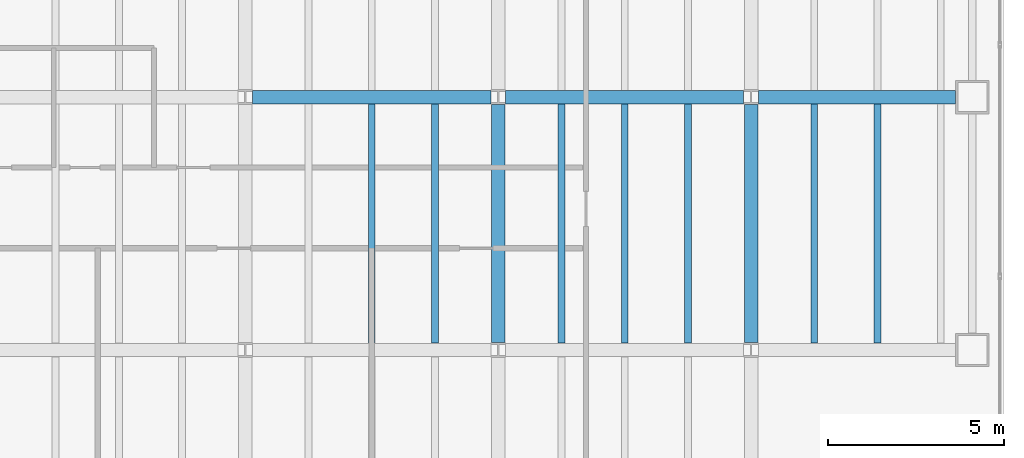
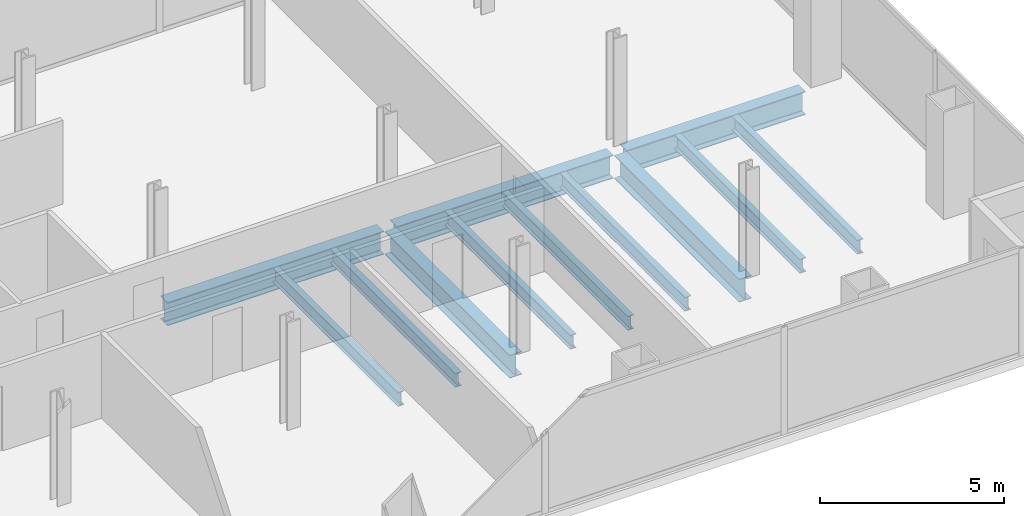
# One storey, part 9 of 23: 12 beams.
"""IFC4 building model written with IfcOpenShell, lengths in metres."""

from ifc_helpers import new_model, si_unit, direction, frame, origin, origin_2d, place, context, subcontext, project, spatial, i_section, extrude, material, material_profile, profile_set, type_object, element, save


model = new_model("IFC4")

# Units and contexts
model_context = context("Model", 3, precision=1e-05, world=origin(), true_north=direction((0.0, 1.0)))
body_context = subcontext(model_context, "Body", "Model", "MODEL_VIEW")
ifc_project = project(units=[si_unit("LENGTHUNIT", "METRE"), si_unit("AREAUNIT", "SQUARE_METRE"), si_unit("VOLUMEUNIT", "CUBIC_METRE"), si_unit("PLANEANGLEUNIT", "RADIAN"), si_unit("MASSUNIT", "GRAM", prefix="KILO")], contexts=[model_context])

# Site, building, storey
site_placement = place(None, origin())
site = spatial("IfcSite", under=ifc_project, at=site_placement, CompositionType="ELEMENT")
building_placement = place(site_placement, origin())
building = spatial("IfcBuilding", under=site, at=building_placement, Name="Cobrela Telecom Tower", CompositionType="ELEMENT")
storey_placement = place(building_placement, frame((0.0, 0.0, 88.89990234375)))
storey = spatial("IfcBuildingStorey", under=building, at=storey_placement, Name="L22", CompositionType="ELEMENT", Elevation=88.89990234375)

# Beams
ifc_material = material(Name="Steel ASTM A992 Grade 50", Category="steel")
ifc_material_profile_1 = material_profile(ifc_material, i_section(OverallWidth=0.381103515625, OverallDepth=0.77197265625, WebThickness=0.0166015625, FlangeThickness=0.027099609375, FilletRadius=0.01904296875, at=origin_2d()), Name="W30X173")
ifc_profile_set_1 = profile_set([ifc_material_profile_1], Name="Steel ASTM A992 Grade 50")
beam_type_1 = type_object("IfcBeamType", Name="BM-GIRD-04", PredefinedType="USERDEFINED", material=ifc_profile_set_1)
for number, where, z_axis, x_axis, name in (
    (1, (29.009521484375, 14.39990234375, -0.666015625), (1.0, 0.0, 0.0), (0.0, 1.0, 0.0), "L22 Primary Girder X15"),
    (2, (36.20947265625, 14.39990234375, -0.666015625), (1.0, 0.0, 0.0), (0.0, 1.0, 0.0), "L22 Primary Girder X16"),
):
    element("IfcBeam", number, at=place(storey_placement, frame(where, z_axis=z_axis, x_axis=x_axis)), inside=storey, type_object=beam_type_1, Name=name, ObjectType="GIRDER", PredefinedType="USERDEFINED", context=body_context, shape_type="SweptSolid", body=[
        extrude(i_section(OverallWidth=0.381103515625, OverallDepth=0.77197265625, WebThickness=0.0166015625, FlangeThickness=0.027099609375, FilletRadius=0.01904296875, at=origin_2d()), origin(), (0.0, 0.0, 1.0), 6.781005859375),
    ])
beam_placement = place(storey_placement, frame((43.409423828125, 14.39990234375, -0.666015625), z_axis=(1.0, 0.0, 0.0), x_axis=(0.0, 1.0, 0.0)))
element("IfcBeam", 3, at=beam_placement, inside=storey, type_object=beam_type_1, Name="L22 Primary Girder X17", ObjectType="GIRDER", PredefinedType="USERDEFINED", context=body_context, shape_type="SweptSolid", body=[
    extrude(i_section(OverallWidth=0.381103515625, OverallDepth=0.77197265625, WebThickness=0.0166015625, FlangeThickness=0.027099609375, FilletRadius=0.01904296875, at=origin_2d()), origin(), (0.0, 0.0, 1.0), 5.610595703125),
])
for number, where, z_axis, x_axis, name in (
    (4, (36.0, 7.409423828125, -0.666015625), (0.0, 1.0, 0.0), (-1.0, 0.0, 0.0), "L22 Primary Girder Y51"),
    (5, (43.199951171875, 7.409423828125, -0.666015625), (0.0, 1.0, 0.0), (-1.0, 0.0, 0.0), "L22 Primary Girder Y54"),
):
    element("IfcBeam", number, at=place(storey_placement, frame(where, z_axis=z_axis, x_axis=x_axis)), inside=storey, type_object=beam_type_1, Name=name, ObjectType="GIRDER", PredefinedType="USERDEFINED", context=body_context, shape_type="SweptSolid", body=[
        extrude(i_section(OverallWidth=0.381103515625, OverallDepth=0.77197265625, WebThickness=0.0166015625, FlangeThickness=0.027099609375, FilletRadius=0.01904296875, at=origin_2d()), origin(), (0.0, 0.0, 1.0), 6.781005859375),
    ])
ifc_material_profile_2 = material_profile(ifc_material, i_section(OverallWidth=0.193115234375, OverallDepth=0.467041015625, WebThickness=0.011474609375, FlangeThickness=0.01904296875, FilletRadius=0.012939453125, at=origin_2d()), Name="W18X65")
ifc_profile_set_2 = profile_set([ifc_material_profile_2], Name="Steel ASTM A992 Grade 50")
beam_type_2 = type_object("IfcBeamType", Name="BM-JOIST-03", PredefinedType="JOIST", material=ifc_profile_set_2)
for number, where, z_axis, x_axis, name in (
    (6, (32.39990234375, 7.3955078125, -0.513427734375), (0.0, 1.0, 0.0), (-1.0, 0.0, 0.0), "L22 Secondary Composite Floor Beam J45"),
    (7, (34.199951171875, 7.3955078125, -0.513427734375), (0.0, 1.0, 0.0), (-1.0, 0.0, 0.0), "L22 Secondary Composite Floor Beam J48"),
    (8, (37.800048828125, 7.3955078125, -0.513427734375), (0.0, 1.0, 0.0), (-1.0, 0.0, 0.0), "L22 Secondary Composite Floor Beam J51"),
    (9, (39.60009765625, 7.3955078125, -0.513427734375), (0.0, 1.0, 0.0), (-1.0, 0.0, 0.0), "L22 Secondary Composite Floor Beam J54"),
    (10, (41.39990234375, 7.3955078125, -0.513427734375), (0.0, 1.0, 0.0), (-1.0, 0.0, 0.0), "L22 Secondary Composite Floor Beam J57"),
    (11, (45.0, 7.3955078125, -0.513427734375), (0.0, 1.0, 0.0), (-1.0, 0.0, 0.0), "L22 Secondary Composite Floor Beam J59"),
    (12, (46.800048828125, 7.3955078125, -0.513427734375), (0.0, 1.0, 0.0), (-1.0, 0.0, 0.0), "L22 Secondary Composite Floor Beam J61"),
):
    element("IfcBeam", number, at=place(storey_placement, frame(where, z_axis=z_axis, x_axis=x_axis)), inside=storey, type_object=beam_type_2, Name=name, PredefinedType="JOIST", context=body_context, shape_type="SweptSolid", body=[
        extrude(i_section(OverallWidth=0.193115234375, OverallDepth=0.467041015625, WebThickness=0.011474609375, FlangeThickness=0.01904296875, FilletRadius=0.012939453125, at=origin_2d()), origin(), (0.0, 0.0, 1.0), 6.80908203125),
    ])

save(model, "model.ifc")
